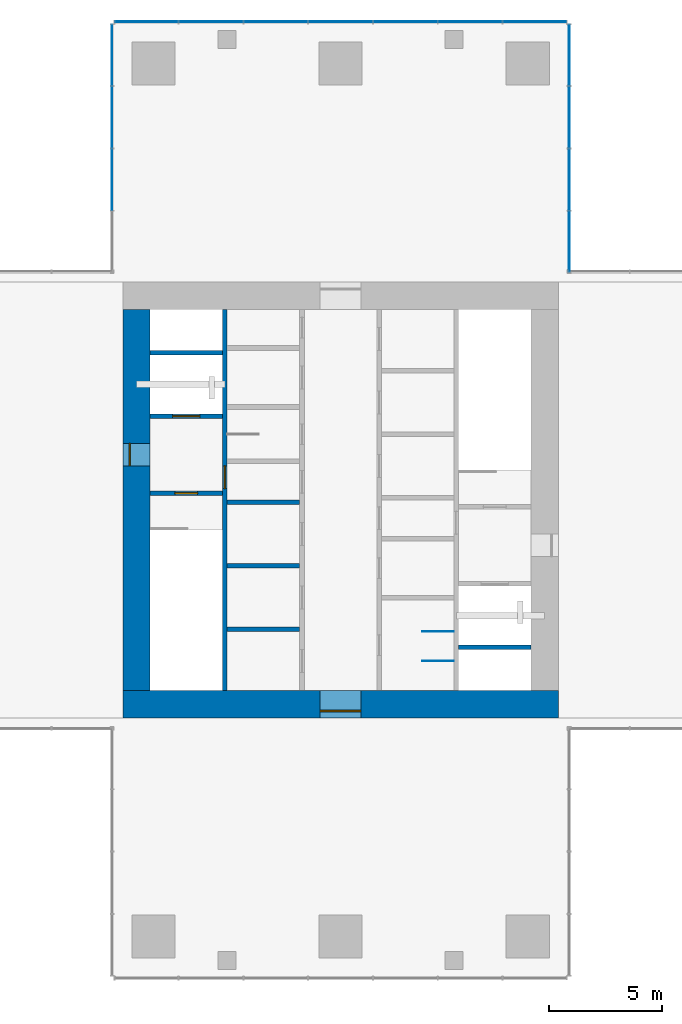
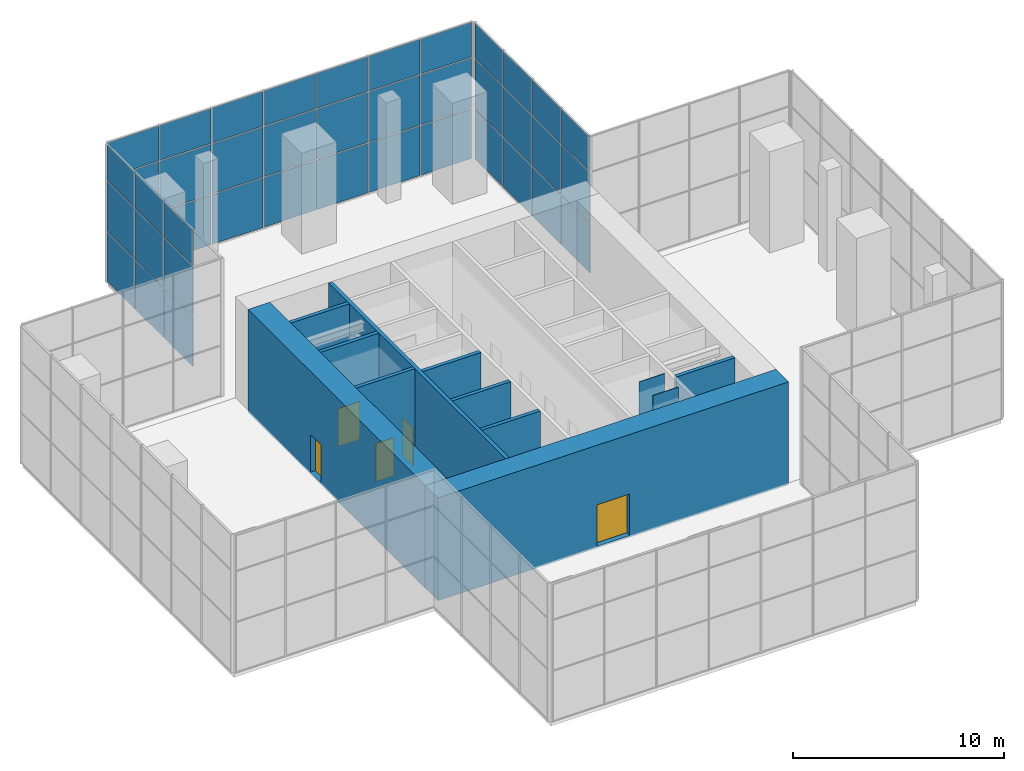
# One storey, part 10 of 12: 42 plates, 12 walls, 5 doors, 5 openings, 3 elements without a shape of their own.
"""IFC4 building model written with IfcOpenShell, lengths in metres."""

from ifc_helpers import new_model, si_unit, direction, frame, frame_2d, origin, origin_2d, place, context, subcontext, project, spatial, rectangle, extrude, material, layer, layer_set, type_object, element, fill, aggregate, save


model = new_model("IFC4")

# Units and contexts
model_context = context("Model", 3, precision=1e-05, world=origin(), true_north=direction((0.0, 1.0)))
body_context = subcontext(model_context, "Body", "Model", "MODEL_VIEW")
ifc_project = project(units=[si_unit("LENGTHUNIT", "METRE"), si_unit("AREAUNIT", "SQUARE_METRE"), si_unit("VOLUMEUNIT", "CUBIC_METRE"), si_unit("PLANEANGLEUNIT", "RADIAN"), si_unit("MASSUNIT", "GRAM", prefix="KILO")], contexts=[model_context])

# Site, building, storey
site_placement = place(None, origin())
site = spatial("IfcSite", under=ifc_project, at=site_placement, CompositionType="ELEMENT")
building_placement = place(site_placement, origin())
building = spatial("IfcBuilding", under=site, at=building_placement, Name="Svetlomir Tower", CompositionType="ELEMENT")
storey_placement = place(building_placement, frame((0.0, 0.0, 283.89990234375)))
storey = spatial("IfcBuildingStorey", under=building, at=storey_placement, Name="L67", CompositionType="ELEMENT", Elevation=283.89990234375)

# Curtain wall, plates
ifc_material_1 = material(Name="Bronze anodised aluminium curtain wall", Category="aluminium")
curtain_wall_type = type_object("IfcCurtainWallType", Name="CURTAIN WALL CW6 LANTERN", PredefinedType="NOTDEFINED", material=ifc_material_1)
curtain_wall_1_placement = place(storey_placement, origin())
curtain_wall_1 = element("IfcCurtainWall", 1, at=curtain_wall_1_placement, inside=storey, type_object=curtain_wall_type, Name="Curtain wall CW6 L67", PredefinedType="NOTDEFINED")
ifc_material_2 = material(Name="Tinted double glazed unit", Category="glass")
ifc_layer_1 = layer(ifc_material_2, 0.028076171875)
ifc_layer_set_1 = layer_set([ifc_layer_1], Name="Tinted double glazed unit")
plate_type = type_object("IfcPlateType", Name="CW6 GLAZED PANEL 28", PredefinedType="CURTAIN_PANEL", material=ifc_layer_set_1)
plate_1_placement = place(storey_placement, frame((31.080078125, 32.389892578125, 0.06005859375), z_axis=(0.0, 0.0, 1.0), x_axis=(0.0, 1.0, 0.0)))
plate_1 = element("IfcPlate", 2, at=plate_1_placement, type_object=plate_type, Name="CW6 panel 1.1", PredefinedType="CURTAIN_PANEL", context=body_context, shape_type="SweptSolid", body=[
    extrude(rectangle(XDim=2.659912109375, YDim=0.028076171875, at=origin_2d()), origin(), (0.0, 0.0, 1.0), 2.860107421875),
])
plate_2_placement = place(storey_placement, frame((31.080078125, 32.389892578125, 2.97998046875), z_axis=(0.0, 0.0, 1.0), x_axis=(0.0, 1.0, 0.0)))
plate_2 = element("IfcPlate", 3, at=plate_2_placement, type_object=plate_type, Name="CW6 panel 1.2", PredefinedType="CURTAIN_PANEL", context=body_context, shape_type="SweptSolid", body=[
    extrude(rectangle(XDim=2.659912109375, YDim=0.028076171875, at=origin_2d()), origin(), (0.0, 0.0, 1.0), 2.889892578125),
])
plate_3_placement = place(storey_placement, frame((31.080078125, 32.389892578125, 5.93017578125), z_axis=(0.0, 0.0, 1.0), x_axis=(0.0, 1.0, 0.0)))
plate_3 = element("IfcPlate", 4, at=plate_3_placement, type_object=plate_type, Name="CW6 panel 1.3", PredefinedType="CURTAIN_PANEL", context=body_context, shape_type="SweptSolid", body=[
    extrude(rectangle(XDim=2.659912109375, YDim=0.028076171875, at=origin_2d()), origin(), (0.0, 0.0, 1.0), 2.010009765625),
])
plate_4_placement = place(storey_placement, frame((31.080078125, 35.125, 0.06005859375), z_axis=(0.0, 0.0, 1.0), x_axis=(0.0, 1.0, 0.0)))
plate_4 = element("IfcPlate", 5, at=plate_4_placement, type_object=plate_type, Name="CW6 panel 2.1", PredefinedType="CURTAIN_PANEL", context=body_context, shape_type="SweptSolid", body=[
    extrude(rectangle(XDim=2.68994140625, YDim=0.028076171875, at=origin_2d()), origin(), (0.0, 0.0, 1.0), 2.860107421875),
])
plate_5_placement = place(storey_placement, frame((31.080078125, 35.125, 2.97998046875), z_axis=(0.0, 0.0, 1.0), x_axis=(0.0, 1.0, 0.0)))
plate_5 = element("IfcPlate", 6, at=plate_5_placement, type_object=plate_type, Name="CW6 panel 2.2", PredefinedType="CURTAIN_PANEL", context=body_context, shape_type="SweptSolid", body=[
    extrude(rectangle(XDim=2.68994140625, YDim=0.028076171875, at=origin_2d()), origin(), (0.0, 0.0, 1.0), 2.889892578125),
])
plate_6_placement = place(storey_placement, frame((31.080078125, 35.125, 5.93017578125), z_axis=(0.0, 0.0, 1.0), x_axis=(0.0, 1.0, 0.0)))
plate_6 = element("IfcPlate", 7, at=plate_6_placement, type_object=plate_type, Name="CW6 panel 2.3", PredefinedType="CURTAIN_PANEL", context=body_context, shape_type="SweptSolid", body=[
    extrude(rectangle(XDim=2.68994140625, YDim=0.028076171875, at=origin_2d()), origin(), (0.0, 0.0, 1.0), 2.010009765625),
])
plate_7_placement = place(storey_placement, frame((31.080078125, 37.875, 0.06005859375), z_axis=(0.0, 0.0, 1.0), x_axis=(0.0, 1.0, 0.0)))
plate_7 = element("IfcPlate", 8, at=plate_7_placement, type_object=plate_type, Name="CW6 panel 3.1", PredefinedType="CURTAIN_PANEL", context=body_context, shape_type="SweptSolid", body=[
    extrude(rectangle(XDim=2.68994140625, YDim=0.028076171875, at=origin_2d()), origin(), (0.0, 0.0, 1.0), 2.860107421875),
])
plate_8_placement = place(storey_placement, frame((31.080078125, 37.875, 2.97998046875), z_axis=(0.0, 0.0, 1.0), x_axis=(0.0, 1.0, 0.0)))
plate_8 = element("IfcPlate", 9, at=plate_8_placement, type_object=plate_type, Name="CW6 panel 3.2", PredefinedType="CURTAIN_PANEL", context=body_context, shape_type="SweptSolid", body=[
    extrude(rectangle(XDim=2.68994140625, YDim=0.028076171875, at=origin_2d()), origin(), (0.0, 0.0, 1.0), 2.889892578125),
])
plate_9_placement = place(storey_placement, frame((31.080078125, 37.875, 5.93017578125), z_axis=(0.0, 0.0, 1.0), x_axis=(0.0, 1.0, 0.0)))
plate_9 = element("IfcPlate", 10, at=plate_9_placement, type_object=plate_type, Name="CW6 panel 3.3", PredefinedType="CURTAIN_PANEL", context=body_context, shape_type="SweptSolid", body=[
    extrude(rectangle(XDim=2.68994140625, YDim=0.028076171875, at=origin_2d()), origin(), (0.0, 0.0, 1.0), 2.010009765625),
])
plate_10_placement = place(storey_placement, frame((31.080078125, 40.610107421875, 0.06005859375), z_axis=(0.0, 0.0, 1.0), x_axis=(0.0, 1.0, 0.0)))
plate_10 = element("IfcPlate", 11, at=plate_10_placement, type_object=plate_type, Name="CW6 panel 4.1", PredefinedType="CURTAIN_PANEL", context=body_context, shape_type="SweptSolid", body=[
    extrude(rectangle(XDim=2.659912109375, YDim=0.028076171875, at=origin_2d()), origin(), (0.0, 0.0, 1.0), 2.860107421875),
])
plate_11_placement = place(storey_placement, frame((31.080078125, 40.610107421875, 2.97998046875), z_axis=(0.0, 0.0, 1.0), x_axis=(0.0, 1.0, 0.0)))
plate_11 = element("IfcPlate", 12, at=plate_11_placement, type_object=plate_type, Name="CW6 panel 4.2", PredefinedType="CURTAIN_PANEL", context=body_context, shape_type="SweptSolid", body=[
    extrude(rectangle(XDim=2.659912109375, YDim=0.028076171875, at=origin_2d()), origin(), (0.0, 0.0, 1.0), 2.889892578125),
])
plate_12_placement = place(storey_placement, frame((31.080078125, 40.610107421875, 5.93017578125), z_axis=(0.0, 0.0, 1.0), x_axis=(0.0, 1.0, 0.0)))
plate_12 = element("IfcPlate", 13, at=plate_12_placement, type_object=plate_type, Name="CW6 panel 4.3", PredefinedType="CURTAIN_PANEL", context=body_context, shape_type="SweptSolid", body=[
    extrude(rectangle(XDim=2.659912109375, YDim=0.028076171875, at=origin_2d()), origin(), (0.0, 0.0, 1.0), 2.010009765625),
])
aggregate(curtain_wall_1, [plate_1, plate_2, plate_3, plate_4, plate_5, plate_6, plate_7, plate_8, plate_9, plate_10, plate_11, plate_12])

curtain_wall_2_placement = place(storey_placement, origin())
curtain_wall_2 = element("IfcCurtainWall", 14, at=curtain_wall_2_placement, inside=storey, type_object=curtain_wall_type, Name="Curtain wall CW6 L67", PredefinedType="NOTDEFINED")
plate_13_placement = place(storey_placement, frame((29.556396484375, 42.080078125, 0.06005859375), z_axis=(0.0, 0.0, 1.0), x_axis=(-1.0, 0.0, 0.0)))
plate_13 = element("IfcPlate", 15, at=plate_13_placement, type_object=plate_type, Name="CW6 panel 1.1", PredefinedType="CURTAIN_PANEL", context=body_context, shape_type="SweptSolid", body=[
    extrude(rectangle(XDim=2.76708984375, YDim=0.028076171875, at=origin_2d()), origin(), (0.0, 0.0, 1.0), 2.860107421875),
])
plate_14_placement = place(storey_placement, frame((29.556396484375, 42.080078125, 2.97998046875), z_axis=(0.0, 0.0, 1.0), x_axis=(-1.0, 0.0, 0.0)))
plate_14 = element("IfcPlate", 16, at=plate_14_placement, type_object=plate_type, Name="CW6 panel 1.2", PredefinedType="CURTAIN_PANEL", context=body_context, shape_type="SweptSolid", body=[
    extrude(rectangle(XDim=2.76708984375, YDim=0.028076171875, at=origin_2d()), origin(), (0.0, 0.0, 1.0), 2.889892578125),
])
plate_15_placement = place(storey_placement, frame((29.556396484375, 42.080078125, 5.93017578125), z_axis=(0.0, 0.0, 1.0), x_axis=(-1.0, 0.0, 0.0)))
plate_15 = element("IfcPlate", 17, at=plate_15_placement, type_object=plate_type, Name="CW6 panel 1.3", PredefinedType="CURTAIN_PANEL", context=body_context, shape_type="SweptSolid", body=[
    extrude(rectangle(XDim=2.76708984375, YDim=0.028076171875, at=origin_2d()), origin(), (0.0, 0.0, 1.0), 2.010009765625),
])
plate_16_placement = place(storey_placement, frame((26.71435546875, 42.080078125, 0.06005859375), z_axis=(0.0, 0.0, 1.0), x_axis=(-1.0, 0.0, 0.0)))
plate_16 = element("IfcPlate", 18, at=plate_16_placement, type_object=plate_type, Name="CW6 panel 2.1", PredefinedType="CURTAIN_PANEL", context=body_context, shape_type="SweptSolid", body=[
    extrude(rectangle(XDim=2.797119140625, YDim=0.028076171875, at=origin_2d()), origin(), (0.0, 0.0, 1.0), 2.860107421875),
])
plate_17_placement = place(storey_placement, frame((26.71435546875, 42.080078125, 2.97998046875), z_axis=(0.0, 0.0, 1.0), x_axis=(-1.0, 0.0, 0.0)))
plate_17 = element("IfcPlate", 19, at=plate_17_placement, type_object=plate_type, Name="CW6 panel 2.2", PredefinedType="CURTAIN_PANEL", context=body_context, shape_type="SweptSolid", body=[
    extrude(rectangle(XDim=2.797119140625, YDim=0.028076171875, at=origin_2d()), origin(), (0.0, 0.0, 1.0), 2.889892578125),
])
plate_18_placement = place(storey_placement, frame((26.71435546875, 42.080078125, 5.93017578125), z_axis=(0.0, 0.0, 1.0), x_axis=(-1.0, 0.0, 0.0)))
plate_18 = element("IfcPlate", 20, at=plate_18_placement, type_object=plate_type, Name="CW6 panel 2.3", PredefinedType="CURTAIN_PANEL", context=body_context, shape_type="SweptSolid", body=[
    extrude(rectangle(XDim=2.797119140625, YDim=0.028076171875, at=origin_2d()), origin(), (0.0, 0.0, 1.0), 2.010009765625),
])
plate_19_placement = place(storey_placement, frame((23.857177734375, 42.080078125, 0.06005859375), z_axis=(0.0, 0.0, 1.0), x_axis=(-1.0, 0.0, 0.0)))
plate_19 = element("IfcPlate", 21, at=plate_19_placement, type_object=plate_type, Name="CW6 panel 3.1", PredefinedType="CURTAIN_PANEL", context=body_context, shape_type="SweptSolid", body=[
    extrude(rectangle(XDim=2.797119140625, YDim=0.028076171875, at=origin_2d()), origin(), (0.0, 0.0, 1.0), 2.860107421875),
])
plate_20_placement = place(storey_placement, frame((23.857177734375, 42.080078125, 2.97998046875), z_axis=(0.0, 0.0, 1.0), x_axis=(-1.0, 0.0, 0.0)))
plate_20 = element("IfcPlate", 22, at=plate_20_placement, type_object=plate_type, Name="CW6 panel 3.2", PredefinedType="CURTAIN_PANEL", context=body_context, shape_type="SweptSolid", body=[
    extrude(rectangle(XDim=2.797119140625, YDim=0.028076171875, at=origin_2d()), origin(), (0.0, 0.0, 1.0), 2.889892578125),
])
plate_21_placement = place(storey_placement, frame((23.857177734375, 42.080078125, 5.93017578125), z_axis=(0.0, 0.0, 1.0), x_axis=(-1.0, 0.0, 0.0)))
plate_21 = element("IfcPlate", 23, at=plate_21_placement, type_object=plate_type, Name="CW6 panel 3.3", PredefinedType="CURTAIN_PANEL", context=body_context, shape_type="SweptSolid", body=[
    extrude(rectangle(XDim=2.797119140625, YDim=0.028076171875, at=origin_2d()), origin(), (0.0, 0.0, 1.0), 2.010009765625),
])
plate_22_placement = place(storey_placement, frame((21.0, 42.080078125, 0.06005859375), z_axis=(0.0, 0.0, 1.0), x_axis=(-1.0, 0.0, 0.0)))
plate_22 = element("IfcPlate", 24, at=plate_22_placement, type_object=plate_type, Name="CW6 panel 4.1", PredefinedType="CURTAIN_PANEL", context=body_context, shape_type="SweptSolid", body=[
    extrude(rectangle(XDim=2.797119140625, YDim=0.028076171875, at=origin_2d()), origin(), (0.0, 0.0, 1.0), 2.860107421875),
])
plate_23_placement = place(storey_placement, frame((21.0, 42.080078125, 2.97998046875), z_axis=(0.0, 0.0, 1.0), x_axis=(-1.0, 0.0, 0.0)))
plate_23 = element("IfcPlate", 25, at=plate_23_placement, type_object=plate_type, Name="CW6 panel 4.2", PredefinedType="CURTAIN_PANEL", context=body_context, shape_type="SweptSolid", body=[
    extrude(rectangle(XDim=2.797119140625, YDim=0.028076171875, at=origin_2d()), origin(), (0.0, 0.0, 1.0), 2.889892578125),
])
plate_24_placement = place(storey_placement, frame((21.0, 42.080078125, 5.93017578125), z_axis=(0.0, 0.0, 1.0), x_axis=(-1.0, 0.0, 0.0)))
plate_24 = element("IfcPlate", 26, at=plate_24_placement, type_object=plate_type, Name="CW6 panel 4.3", PredefinedType="CURTAIN_PANEL", context=body_context, shape_type="SweptSolid", body=[
    extrude(rectangle(XDim=2.797119140625, YDim=0.028076171875, at=origin_2d()), origin(), (0.0, 0.0, 1.0), 2.010009765625),
])
plate_25_placement = place(storey_placement, frame((18.142822265625, 42.080078125, 0.06005859375), z_axis=(0.0, 0.0, 1.0), x_axis=(-1.0, 0.0, 0.0)))
plate_25 = element("IfcPlate", 27, at=plate_25_placement, type_object=plate_type, Name="CW6 panel 5.1", PredefinedType="CURTAIN_PANEL", context=body_context, shape_type="SweptSolid", body=[
    extrude(rectangle(XDim=2.797119140625, YDim=0.028076171875, at=origin_2d()), origin(), (0.0, 0.0, 1.0), 2.860107421875),
])
plate_26_placement = place(storey_placement, frame((18.142822265625, 42.080078125, 2.97998046875), z_axis=(0.0, 0.0, 1.0), x_axis=(-1.0, 0.0, 0.0)))
plate_26 = element("IfcPlate", 28, at=plate_26_placement, type_object=plate_type, Name="CW6 panel 5.2", PredefinedType="CURTAIN_PANEL", context=body_context, shape_type="SweptSolid", body=[
    extrude(rectangle(XDim=2.797119140625, YDim=0.028076171875, at=origin_2d()), origin(), (0.0, 0.0, 1.0), 2.889892578125),
])
plate_27_placement = place(storey_placement, frame((18.142822265625, 42.080078125, 5.93017578125), z_axis=(0.0, 0.0, 1.0), x_axis=(-1.0, 0.0, 0.0)))
plate_27 = element("IfcPlate", 29, at=plate_27_placement, type_object=plate_type, Name="CW6 panel 5.3", PredefinedType="CURTAIN_PANEL", context=body_context, shape_type="SweptSolid", body=[
    extrude(rectangle(XDim=2.797119140625, YDim=0.028076171875, at=origin_2d()), origin(), (0.0, 0.0, 1.0), 2.010009765625),
])
plate_28_placement = place(storey_placement, frame((15.28564453125, 42.080078125, 0.06005859375), z_axis=(0.0, 0.0, 1.0), x_axis=(-1.0, 0.0, 0.0)))
plate_28 = element("IfcPlate", 30, at=plate_28_placement, type_object=plate_type, Name="CW6 panel 6.1", PredefinedType="CURTAIN_PANEL", context=body_context, shape_type="SweptSolid", body=[
    extrude(rectangle(XDim=2.797119140625, YDim=0.028076171875, at=origin_2d()), origin(), (0.0, 0.0, 1.0), 2.860107421875),
])
plate_29_placement = place(storey_placement, frame((15.28564453125, 42.080078125, 2.97998046875), z_axis=(0.0, 0.0, 1.0), x_axis=(-1.0, 0.0, 0.0)))
plate_29 = element("IfcPlate", 31, at=plate_29_placement, type_object=plate_type, Name="CW6 panel 6.2", PredefinedType="CURTAIN_PANEL", context=body_context, shape_type="SweptSolid", body=[
    extrude(rectangle(XDim=2.797119140625, YDim=0.028076171875, at=origin_2d()), origin(), (0.0, 0.0, 1.0), 2.889892578125),
])
plate_30_placement = place(storey_placement, frame((15.28564453125, 42.080078125, 5.93017578125), z_axis=(0.0, 0.0, 1.0), x_axis=(-1.0, 0.0, 0.0)))
plate_30 = element("IfcPlate", 32, at=plate_30_placement, type_object=plate_type, Name="CW6 panel 6.3", PredefinedType="CURTAIN_PANEL", context=body_context, shape_type="SweptSolid", body=[
    extrude(rectangle(XDim=2.797119140625, YDim=0.028076171875, at=origin_2d()), origin(), (0.0, 0.0, 1.0), 2.010009765625),
])
plate_31_placement = place(storey_placement, frame((12.443603515625, 42.080078125, 0.06005859375), z_axis=(0.0, 0.0, 1.0), x_axis=(-1.0, 0.0, 0.0)))
plate_31 = element("IfcPlate", 33, at=plate_31_placement, type_object=plate_type, Name="CW6 panel 7.1", PredefinedType="CURTAIN_PANEL", context=body_context, shape_type="SweptSolid", body=[
    extrude(rectangle(XDim=2.76708984375, YDim=0.028076171875, at=origin_2d()), origin(), (0.0, 0.0, 1.0), 2.860107421875),
])
plate_32_placement = place(storey_placement, frame((12.443603515625, 42.080078125, 2.97998046875), z_axis=(0.0, 0.0, 1.0), x_axis=(-1.0, 0.0, 0.0)))
plate_32 = element("IfcPlate", 34, at=plate_32_placement, type_object=plate_type, Name="CW6 panel 7.2", PredefinedType="CURTAIN_PANEL", context=body_context, shape_type="SweptSolid", body=[
    extrude(rectangle(XDim=2.76708984375, YDim=0.028076171875, at=origin_2d()), origin(), (0.0, 0.0, 1.0), 2.889892578125),
])
plate_33_placement = place(storey_placement, frame((12.443603515625, 42.080078125, 5.93017578125), z_axis=(0.0, 0.0, 1.0), x_axis=(-1.0, 0.0, 0.0)))
plate_33 = element("IfcPlate", 35, at=plate_33_placement, type_object=plate_type, Name="CW6 panel 7.3", PredefinedType="CURTAIN_PANEL", context=body_context, shape_type="SweptSolid", body=[
    extrude(rectangle(XDim=2.76708984375, YDim=0.028076171875, at=origin_2d()), origin(), (0.0, 0.0, 1.0), 2.010009765625),
])
aggregate(curtain_wall_2, [plate_13, plate_14, plate_15, plate_16, plate_17, plate_18, plate_19, plate_20, plate_21, plate_22, plate_23, plate_24, plate_25, plate_26, plate_27, plate_28, plate_29, plate_30, plate_31, plate_32, plate_33])

curtain_wall_3_placement = place(storey_placement, origin())
curtain_wall_3 = element("IfcCurtainWall", 36, at=curtain_wall_3_placement, inside=storey, type_object=curtain_wall_type, Name="Curtain wall CW6 L67", PredefinedType="NOTDEFINED")
plate_34_placement = place(storey_placement, frame((10.919921875, 40.610107421875, 0.06005859375), z_axis=(0.0, 0.0, 1.0), x_axis=(0.0, -1.0, 0.0)))
plate_34 = element("IfcPlate", 37, at=plate_34_placement, type_object=plate_type, Name="CW6 panel 1.1", PredefinedType="CURTAIN_PANEL", context=body_context, shape_type="SweptSolid", body=[
    extrude(rectangle(XDim=2.659912109375, YDim=0.028076171875, at=origin_2d()), origin(), (0.0, 0.0, 1.0), 2.860107421875),
])
plate_35_placement = place(storey_placement, frame((10.919921875, 40.610107421875, 2.97998046875), z_axis=(0.0, 0.0, 1.0), x_axis=(0.0, -1.0, 0.0)))
plate_35 = element("IfcPlate", 38, at=plate_35_placement, type_object=plate_type, Name="CW6 panel 1.2", PredefinedType="CURTAIN_PANEL", context=body_context, shape_type="SweptSolid", body=[
    extrude(rectangle(XDim=2.659912109375, YDim=0.028076171875, at=origin_2d()), origin(), (0.0, 0.0, 1.0), 2.889892578125),
])
plate_36_placement = place(storey_placement, frame((10.919921875, 40.610107421875, 5.93017578125), z_axis=(0.0, 0.0, 1.0), x_axis=(0.0, -1.0, 0.0)))
plate_36 = element("IfcPlate", 39, at=plate_36_placement, type_object=plate_type, Name="CW6 panel 1.3", PredefinedType="CURTAIN_PANEL", context=body_context, shape_type="SweptSolid", body=[
    extrude(rectangle(XDim=2.659912109375, YDim=0.028076171875, at=origin_2d()), origin(), (0.0, 0.0, 1.0), 2.010009765625),
])
plate_37_placement = place(storey_placement, frame((10.919921875, 37.875, 0.06005859375), z_axis=(0.0, 0.0, 1.0), x_axis=(0.0, -1.0, 0.0)))
plate_37 = element("IfcPlate", 40, at=plate_37_placement, type_object=plate_type, Name="CW6 panel 2.1", PredefinedType="CURTAIN_PANEL", context=body_context, shape_type="SweptSolid", body=[
    extrude(rectangle(XDim=2.68994140625, YDim=0.028076171875, at=origin_2d()), origin(), (0.0, 0.0, 1.0), 2.860107421875),
])
plate_38_placement = place(storey_placement, frame((10.919921875, 37.875, 2.97998046875), z_axis=(0.0, 0.0, 1.0), x_axis=(0.0, -1.0, 0.0)))
plate_38 = element("IfcPlate", 41, at=plate_38_placement, type_object=plate_type, Name="CW6 panel 2.2", PredefinedType="CURTAIN_PANEL", context=body_context, shape_type="SweptSolid", body=[
    extrude(rectangle(XDim=2.68994140625, YDim=0.028076171875, at=origin_2d()), origin(), (0.0, 0.0, 1.0), 2.889892578125),
])
plate_39_placement = place(storey_placement, frame((10.919921875, 37.875, 5.93017578125), z_axis=(0.0, 0.0, 1.0), x_axis=(0.0, -1.0, 0.0)))
plate_39 = element("IfcPlate", 42, at=plate_39_placement, type_object=plate_type, Name="CW6 panel 2.3", PredefinedType="CURTAIN_PANEL", context=body_context, shape_type="SweptSolid", body=[
    extrude(rectangle(XDim=2.68994140625, YDim=0.028076171875, at=origin_2d()), origin(), (0.0, 0.0, 1.0), 2.010009765625),
])
plate_40_placement = place(storey_placement, frame((10.919921875, 35.125, 0.06005859375), z_axis=(0.0, 0.0, 1.0), x_axis=(0.0, -1.0, 0.0)))
plate_40 = element("IfcPlate", 43, at=plate_40_placement, type_object=plate_type, Name="CW6 panel 3.1", PredefinedType="CURTAIN_PANEL", context=body_context, shape_type="SweptSolid", body=[
    extrude(rectangle(XDim=2.68994140625, YDim=0.028076171875, at=origin_2d()), origin(), (0.0, 0.0, 1.0), 2.860107421875),
])
plate_41_placement = place(storey_placement, frame((10.919921875, 35.125, 2.97998046875), z_axis=(0.0, 0.0, 1.0), x_axis=(0.0, -1.0, 0.0)))
plate_41 = element("IfcPlate", 44, at=plate_41_placement, type_object=plate_type, Name="CW6 panel 3.2", PredefinedType="CURTAIN_PANEL", context=body_context, shape_type="SweptSolid", body=[
    extrude(rectangle(XDim=2.68994140625, YDim=0.028076171875, at=origin_2d()), origin(), (0.0, 0.0, 1.0), 2.889892578125),
])
plate_42_placement = place(storey_placement, frame((10.919921875, 35.125, 5.93017578125), z_axis=(0.0, 0.0, 1.0), x_axis=(0.0, -1.0, 0.0)))
plate_42 = element("IfcPlate", 45, at=plate_42_placement, type_object=plate_type, Name="CW6 panel 3.3", PredefinedType="CURTAIN_PANEL", context=body_context, shape_type="SweptSolid", body=[
    extrude(rectangle(XDim=2.68994140625, YDim=0.028076171875, at=origin_2d()), origin(), (0.0, 0.0, 1.0), 2.010009765625),
])
aggregate(curtain_wall_3, [plate_34, plate_35, plate_36, plate_37, plate_38, plate_39, plate_40, plate_41, plate_42])

# Wall, opening, door
ifc_material_3 = material(Name="Concrete C60/75", Category="concrete")
ifc_layer_2 = layer(ifc_material_3, 0.199951171875)
ifc_layer_set_2 = layer_set([ifc_layer_2], Name="Concrete C60/75")
wall_type_1 = type_object("IfcWallType", Name="CORE INNER WALL 200", PredefinedType="SHEAR", material=ifc_layer_set_2)
wall_1_placement = place(storey_placement, frame((15.89990234375, 12.60009765625, -0.099853515625), z_axis=(0.0, 0.0, 1.0), x_axis=(0.0, 1.0, 0.0)))
wall_1 = element("IfcWall", 46, at=wall_1_placement, inside=storey, type_object=wall_type_1, Name="Core inner wall 15.9 L67", PredefinedType="SHEAR", context=body_context, shape_type="SweptSolid", body=[
    extrude(rectangle(XDim=16.7998046875, YDim=0.199951171875, at=frame_2d((8.39990234375, 0.0))), origin(), (0.0, 0.0, 1.0), 5.949951171875),
])
opening_1_placement = place(wall_1_placement, frame((8.89990234375, 0.0, 0.10009765625)))
opening_1 = element("IfcOpeningElement", 47, at=opening_1_placement, cuts=wall_1, Name="Opening DF", PredefinedType="OPENING", context=body_context, shape_type="SweptSolid", body=[
    extrude(rectangle(XDim=1.0, YDim=2.199951171875, at=frame_2d((0.5, 1.10009765625))), frame((0.0, 0.10986328125, 0.0), z_axis=(0.0, -1.0, 0.0), x_axis=(1.0, 0.0, 0.0)), (0.0, 0.0, 1.0), 0.219970703125),
])
ifc_material_4 = material(Name="Steel fire door", Category="steel")
door_type_1 = type_object("IfcDoorType", Name="DOOR DF 1000x2200", OperationType="SINGLE_SWING_LEFT", PredefinedType="DOOR", material=ifc_material_4)
door_1_placement = place(opening_1_placement, origin())
door_1 = element("IfcDoor", 48, at=door_1_placement, inside=storey, type_object=door_type_1, Name="Core corridor west door L67", OperationType="SINGLE_SWING_LEFT", OverallHeight=2.199951171875, OverallWidth=1.0, PredefinedType="DOOR", context=body_context, shape_type="SweptSolid", body=[
    extrude(rectangle(XDim=1.0, YDim=2.199951171875, at=frame_2d((0.5, 1.10009765625))), frame((0.0, 0.02490234375, 0.0), z_axis=(0.0, -1.0, 0.0), x_axis=(1.0, 0.0, 0.0)), (0.0, 0.0, 1.0), 0.050048828125),
])
fill(opening_1, door_1)

wall_2_placement = place(storey_placement, frame((12.60009765625, 21.300048828125, -0.099853515625), z_axis=(0.0, 0.0, 1.0), x_axis=(1.0, 0.0, 0.0)))
wall_2 = element("IfcWall", 49, at=wall_2_placement, inside=storey, type_object=wall_type_1, Name="Core inner wall 12.6-15.8/21.3 L67", PredefinedType="SHEAR", context=body_context, shape_type="SweptSolid", body=[
    extrude(rectangle(XDim=3.199951171875, YDim=0.199951171875, at=frame_2d((1.60009765625, 0.0))), origin(), (0.0, 0.0, 1.0), 5.949951171875),
])
opening_2_placement = place(wall_2_placement, frame((1.10009765625, 0.0, 0.10009765625)))
opening_2 = element("IfcOpeningElement", 50, at=opening_2_placement, cuts=wall_2, Name="Opening DF", PredefinedType="OPENING", context=body_context, shape_type="SweptSolid", body=[
    extrude(rectangle(XDim=1.0, YDim=2.199951171875, at=frame_2d((0.5, 1.10009765625))), frame((0.0, 0.10986328125, 0.0), z_axis=(0.0, -1.0, 0.0), x_axis=(1.0, 0.0, 0.0)), (0.0, 0.0, 1.0), 0.219970703125),
])
door_2_placement = place(opening_2_placement, origin())
door_2 = element("IfcDoor", 51, at=door_2_placement, inside=storey, type_object=door_type_1, Name="Stair S1 door L67", OperationType="SINGLE_SWING_LEFT", OverallHeight=2.199951171875, OverallWidth=1.0, PredefinedType="DOOR", context=body_context, shape_type="SweptSolid", body=[
    extrude(rectangle(XDim=1.0, YDim=2.199951171875, at=frame_2d((0.5, 1.10009765625))), frame((0.0, 0.02490234375, 0.0), z_axis=(0.0, -1.0, 0.0), x_axis=(1.0, 0.0, 0.0)), (0.0, 0.0, 1.0), 0.050048828125),
])
fill(opening_2, door_2)

wall_3_placement = place(storey_placement, frame((12.60009765625, 24.699951171875, -0.099853515625), z_axis=(0.0, 0.0, 1.0), x_axis=(1.0, 0.0, 0.0)))
wall_3 = element("IfcWall", 52, at=wall_3_placement, inside=storey, type_object=wall_type_1, Name="Core inner wall 12.6-15.8/24.7 L67", PredefinedType="SHEAR", context=body_context, shape_type="SweptSolid", body=[
    extrude(rectangle(XDim=3.199951171875, YDim=0.199951171875, at=frame_2d((1.60009765625, 0.0))), origin(), (0.0, 0.0, 1.0), 5.949951171875),
])
opening_3_placement = place(wall_3_placement, frame((1.0, 0.0, 0.10009765625)))
opening_3 = element("IfcOpeningElement", 53, at=opening_3_placement, cuts=wall_3, Name="Opening LD3", PredefinedType="OPENING", context=body_context, shape_type="SweptSolid", body=[
    extrude(rectangle(XDim=1.199951171875, YDim=2.199951171875, at=frame_2d((0.60009765625, 1.10009765625))), frame((0.0, 0.10986328125, 0.0), z_axis=(0.0, -1.0, 0.0), x_axis=(1.0, 0.0, 0.0)), (0.0, 0.0, 1.0), 0.219970703125),
])
ifc_material_5 = material(Name="Stainless steel fire-rated landing door", Category="steel")
door_type_2 = type_object("IfcDoorType", Name="FIREFIGHTING LIFT LANDING DOOR LD3 1200x2200", OperationType="DOUBLE_DOOR_SLIDING", PredefinedType="DOOR", material=ifc_material_5)
door_3_placement = place(opening_3_placement, origin())
door_3 = element("IfcDoor", 54, at=door_3_placement, inside=storey, type_object=door_type_2, Name="Landing door lift FL1 L67", OperationType="DOUBLE_DOOR_SLIDING", OverallHeight=2.199951171875, OverallWidth=1.199951171875, PredefinedType="DOOR", context=body_context, shape_type="SweptSolid", body=[
    extrude(rectangle(XDim=1.199951171875, YDim=2.199951171875, at=frame_2d((0.60009765625, 1.10009765625))), frame((0.0, 0.02490234375, 0.0), z_axis=(0.0, -1.0, 0.0), x_axis=(1.0, 0.0, 0.0)), (0.0, 0.0, 1.0), 0.050048828125),
])
fill(opening_3, door_3)

# Walls
for number, where, z_axis, x_axis, name in (
    (55, (12.60009765625, 27.5, -0.099853515625), (0.0, 0.0, 1.0), (1.0, 0.0, 0.0), "Core inner wall 12.6-15.8/27.5 L67"),
    (56, (16.0, 15.300048828125, -0.099853515625), (0.0, 0.0, 1.0), (1.0, 0.0, 0.0), "Core inner wall 16-19.2/15.3 L67"),
    (57, (16.0, 18.10009765625, -0.099853515625), (0.0, 0.0, 1.0), (1.0, 0.0, 0.0), "Core inner wall 16-19.2/18.1 L67"),
    (58, (16.0, 20.89990234375, -0.099853515625), (0.0, 0.0, 1.0), (1.0, 0.0, 0.0), "Core inner wall 16-19.2/20.9 L67"),
    (59, (26.199951171875, 14.5, -0.099853515625), (0.0, 0.0, 1.0), (1.0, 0.0, 0.0), "Core inner wall 26.2-29.4/14.5 L67"),
):
    element("IfcWall", number, at=place(storey_placement, frame(where, z_axis=z_axis, x_axis=x_axis)), inside=storey, type_object=wall_type_1, Name=name, PredefinedType="SHEAR", context=body_context, shape_type="SweptSolid", body=[
        extrude(rectangle(XDim=3.199951171875, YDim=0.199951171875, at=frame_2d((1.60009765625, 0.0))), origin(), (0.0, 0.0, 1.0), 5.949951171875),
    ])

# Wall, opening, door
ifc_material_6 = material(Name="Concrete C60/75", Category="concrete")
ifc_layer_3 = layer(ifc_material_6, 1.199951171875)
ifc_layer_set_3 = layer_set([ifc_layer_3], Name="Concrete C60/75")
wall_type_2 = type_object("IfcWallType", Name="CORE WALL 1200", PredefinedType="SHEAR", material=ifc_layer_set_3)
wall_4_placement = place(storey_placement, frame((11.39990234375, 12.0, -0.099853515625), z_axis=(0.0, 0.0, 1.0), x_axis=(1.0, 0.0, 0.0)))
wall_4 = element("IfcWall", 60, at=wall_4_placement, inside=storey, type_object=wall_type_2, Name="Core wall south L67", PredefinedType="SHEAR", context=body_context, shape_type="SweptSolid", body=[
    extrude(rectangle(XDim=19.2001953125, YDim=1.199951171875, at=frame_2d((9.60009765625, 0.0))), origin(), (0.0, 0.0, 1.0), 5.949951171875),
])
opening_4_placement = place(wall_4_placement, frame((8.699951171875, 0.0, 0.10009765625)))
opening_4 = element("IfcOpeningElement", 61, at=opening_4_placement, cuts=wall_4, Name="Opening DP", PredefinedType="OPENING", context=body_context, shape_type="SweptSolid", body=[
    extrude(rectangle(XDim=1.800048828125, YDim=2.39990234375, at=frame_2d((0.89990234375, 1.199951171875))), frame((0.0, 0.60986328125, 0.0), z_axis=(0.0, -1.0, 0.0), x_axis=(1.0, 0.0, 0.0)), (0.0, 0.0, 1.0), 1.219970703125),
])
ifc_material_7 = material(Name="Steel fire door", Category="steel")
door_type_3 = type_object("IfcDoorType", Name="PLANT ROOM DOOR DP 1800x2400", OperationType="DOUBLE_DOOR_SINGLE_SWING", PredefinedType="DOOR", material=ifc_material_7)
door_4_placement = place(opening_4_placement, origin())
door_4 = element("IfcDoor", 62, at=door_4_placement, inside=storey, type_object=door_type_3, Name="Lift lobby south door L67", OperationType="DOUBLE_DOOR_SINGLE_SWING", OverallHeight=2.39990234375, OverallWidth=1.800048828125, PredefinedType="DOOR", context=body_context, shape_type="SweptSolid", body=[
    extrude(rectangle(XDim=1.800048828125, YDim=2.39990234375, at=frame_2d((0.89990234375, 1.199951171875))), frame((0.0, -0.27490234375, 0.0), z_axis=(0.0, -1.0, 0.0), x_axis=(1.0, 0.0, 0.0)), (0.0, 0.0, 1.0), 0.050048828125),
])
fill(opening_4, door_4)

wall_5_placement = place(storey_placement, frame((12.0, 12.60009765625, -0.099853515625), z_axis=(0.0, 0.0, 1.0), x_axis=(0.0, 1.0, 0.0)))
wall_5 = element("IfcWall", 63, at=wall_5_placement, inside=storey, type_object=wall_type_2, Name="Core wall west L67", PredefinedType="SHEAR", context=body_context, shape_type="SweptSolid", body=[
    extrude(rectangle(XDim=16.7998046875, YDim=1.199951171875, at=frame_2d((8.39990234375, 0.0))), origin(), (0.0, 0.0, 1.0), 5.949951171875),
])
opening_5_placement = place(wall_5_placement, frame((9.89990234375, 0.0, 0.10009765625)))
opening_5 = element("IfcOpeningElement", 64, at=opening_5_placement, cuts=wall_5, Name="Opening DF", PredefinedType="OPENING", context=body_context, shape_type="SweptSolid", body=[
    extrude(rectangle(XDim=1.0, YDim=2.199951171875, at=frame_2d((0.5, 1.10009765625))), frame((0.0, 0.60986328125, 0.0), z_axis=(0.0, -1.0, 0.0), x_axis=(1.0, 0.0, 0.0)), (0.0, 0.0, 1.0), 1.219970703125),
])
door_5_placement = place(opening_5_placement, origin())
door_5 = element("IfcDoor", 65, at=door_5_placement, inside=storey, type_object=door_type_1, Name="Firefighting lobby west door L67", OperationType="SINGLE_SWING_LEFT", OverallHeight=2.199951171875, OverallWidth=1.0, PredefinedType="DOOR", context=body_context, shape_type="SweptSolid", body=[
    extrude(rectangle(XDim=1.0, YDim=2.199951171875, at=frame_2d((0.5, 1.10009765625))), frame((0.0, 0.3251953125, 0.0), z_axis=(0.0, -1.0, 0.0), x_axis=(1.0, 0.0, 0.0)), (0.0, 0.0, 1.0), 0.050048828125),
])
fill(opening_5, door_5)

# Walls
ifc_material_8 = material(Name="Compact laminate panel", Category="plastic")
ifc_layer_4 = layer(ifc_material_8, 0.030029296875)
ifc_layer_set_4 = layer_set([ifc_layer_4], Name="Compact laminate panel")
wall_type_3 = type_object("IfcWallType", Name="WC CUBICLE PARTITION 30", PredefinedType="PARTITIONING", material=ifc_layer_set_4)
for number, where, z_axis, x_axis, name in (
    (66, (24.60009765625, 13.89990234375, 0.0), (0.0, 0.0, 1.0), (1.0, 0.0, 0.0), "WC cubicle partition L67"),
    (67, (24.60009765625, 15.199951171875, 0.0), (0.0, 0.0, 1.0), (1.0, 0.0, 0.0), "WC cubicle partition L67"),
):
    element("IfcWall", number, at=place(storey_placement, frame(where, z_axis=z_axis, x_axis=x_axis)), inside=storey, type_object=wall_type_3, Name=name, PredefinedType="PARTITIONING", context=body_context, shape_type="SweptSolid", body=[
        extrude(rectangle(XDim=1.39990234375, YDim=0.030029296875, at=frame_2d((0.699951171875, 0.0))), origin(), (0.0, 0.0, 1.0), 5.650146484375),
    ])

save(model, "model.ifc")
